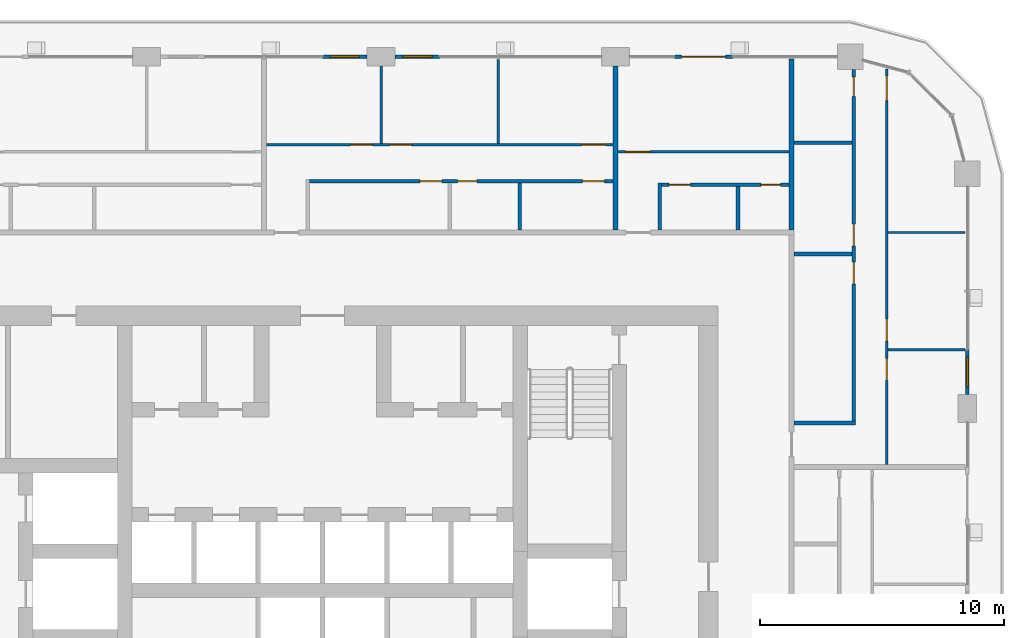
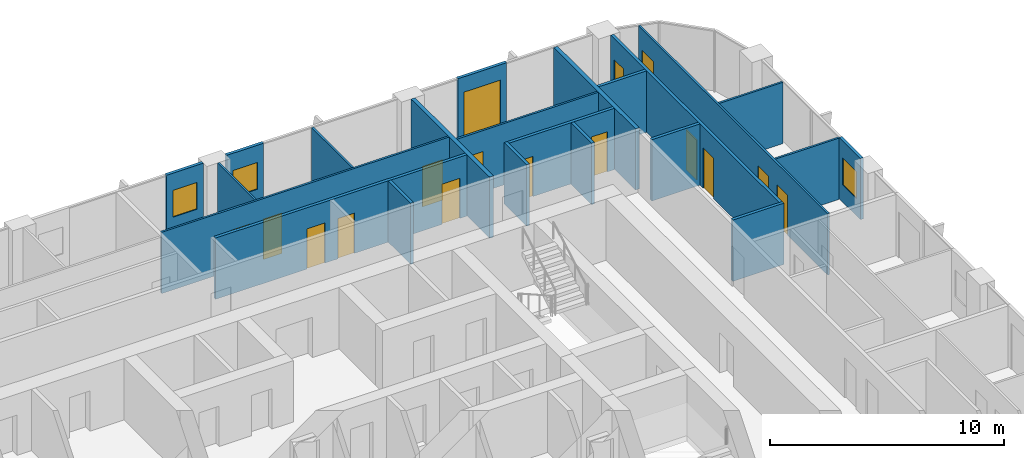
# One storey, part 15 of 22: 22 walls, 16 doors, 3 windows, 19 openings.
"""IFC4 building model written with IfcOpenShell, lengths in metres."""

from ifc_helpers import new_model, si_unit, direction, frame, frame_2d, origin, place, context, subcontext, project, spatial, rectangle, extrude, material, layer, layer_set, type_object, element, fill, save


model = new_model("IFC4")

# Units and contexts
model_context = context("Model", 3, precision=1e-05, world=origin(), true_north=direction((0.0, 1.0)))
body_context = subcontext(model_context, "Body", "Model", "MODEL_VIEW")
ifc_project = project(units=[si_unit("LENGTHUNIT", "METRE"), si_unit("AREAUNIT", "SQUARE_METRE"), si_unit("VOLUMEUNIT", "CUBIC_METRE"), si_unit("PLANEANGLEUNIT", "RADIAN"), si_unit("MASSUNIT", "GRAM", prefix="KILO")], contexts=[model_context])

# Site, building, storey
site_placement = place(None, origin())
site = spatial("IfcSite", under=ifc_project, at=site_placement, CompositionType="ELEMENT")
building_placement = place(site_placement, origin())
building = spatial("IfcBuilding", under=site, at=building_placement, Name="Madar Terraces", CompositionType="ELEMENT")
storey_placement = place(building_placement, frame((0.0, 0.0, 159.5)))
storey = spatial("IfcBuildingStorey", under=building, at=storey_placement, Name="L41", CompositionType="ELEMENT", Elevation=159.5)

# Wall, opening, window
ifc_material_1 = material(Name="Aluminium composite panel, black, over insulated backing", Category="aluminium")
ifc_layer_1 = layer(ifc_material_1, 0.14990234375)
ifc_layer_set_1 = layer_set([ifc_layer_1], Name="Facade bay panel 150")
wall_type_1 = type_object("IfcWallType", Name="Facade bay panel 150", PredefinedType="SOLIDWALL", material=ifc_layer_set_1)
wall_1_placement = place(storey_placement, frame((57.60009765625, 34.175048828125, 0.0), z_axis=(0.0, 0.0, 1.0), x_axis=(0.0, 1.0, 0.0)))
wall_1 = element("IfcWall", 1, at=wall_1_placement, inside=storey, type_object=wall_type_1, Name="Facade bay panel", PredefinedType="SOLIDWALL", context=body_context, shape_type="SweptSolid", body=[
    extrude(rectangle(XDim=1.824951171875, YDim=0.14990234375, at=frame_2d((0.91259765625, 0.0))), origin(), (0.0, 0.0, 1.0), 3.199951171875),
])
opening_1_placement = place(wall_1_placement, frame((0.3125, 0.0, 0.89990234375)))
opening_1 = element("IfcOpeningElement", 2, at=opening_1_placement, cuts=wall_1, Name="Opening W1", PredefinedType="OPENING", context=body_context, shape_type="SweptSolid", body=[
    extrude(rectangle(XDim=1.199951171875, YDim=1.39990234375, at=frame_2d((0.60009765625, 0.699951171875))), frame((0.0, 0.0849609375, 0.0), z_axis=(0.0, -1.0, 0.0), x_axis=(1.0, 0.0, 0.0)), (0.0, 0.0, 1.0), 0.169921875),
])
ifc_material_2 = material(Name="Glass, clear, with black aluminium frame", Category="aluminium")
window_type = type_object("IfcWindowType", Name="Vent window 1200 x 1400", PartitioningType="SINGLE_PANEL", PredefinedType="WINDOW", material=ifc_material_2)
window_1_placement = place(opening_1_placement, origin())
window_1 = element("IfcWindow", 3, at=window_1_placement, inside=storey, type_object=window_type, Name="Operable vent window", OverallHeight=1.39990234375, OverallWidth=1.199951171875, PartitioningType="SINGLE_PANEL", PredefinedType="WINDOW", context=body_context, shape_type="SweptSolid", body=[
    extrude(rectangle(XDim=1.199951171875, YDim=1.39990234375, at=frame_2d((0.60009765625, 0.699951171875))), frame((0.0, 0.030029296875, 0.0), z_axis=(0.0, -1.0, 0.0), x_axis=(1.0, 0.0, 0.0)), (0.0, 0.0, 1.0), 0.06005859375),
])
fill(opening_1, window_1)

# Wall, opening, door
wall_2_placement = place(storey_placement, frame((48.0, 48.0, 0.0), z_axis=(0.0, 0.0, 1.0), x_axis=(-1.0, 0.0, 0.0)))
wall_2 = element("IfcWall", 4, at=wall_2_placement, inside=storey, type_object=wall_type_1, Name="Facade bay panel", PredefinedType="SOLIDWALL", context=body_context, shape_type="SweptSolid", body=[
    extrude(rectangle(XDim=2.39990234375, YDim=0.14990234375, at=frame_2d((1.199951171875, 0.0))), origin(), (0.0, 0.0, 1.0), 3.199951171875),
])
opening_2_placement = place(wall_2_placement, frame((0.300048828125, 0.0, 0.0)))
opening_2 = element("IfcOpeningElement", 5, at=opening_2_placement, cuts=wall_2, Name="Opening ED1", PredefinedType="OPENING", context=body_context, shape_type="SweptSolid", body=[
    extrude(rectangle(XDim=1.800048828125, YDim=2.39990234375, at=frame_2d((0.89990234375, 1.199951171875))), frame((0.0, 0.0849609375, 0.0), z_axis=(0.0, -1.0, 0.0), x_axis=(1.0, 0.0, 0.0)), (0.0, 0.0, 1.0), 0.169921875),
])
ifc_material_3 = material(Name="Glass, clear, with black aluminium frame", Category="aluminium")
door_type_1 = type_object("IfcDoorType", Name="Balcony and terrace sliding door 1800 x 2400", OperationType="SLIDING_TO_LEFT", PredefinedType="DOOR", material=ifc_material_3)
door_1_placement = place(opening_2_placement, origin())
door_1 = element("IfcDoor", 6, at=door_1_placement, inside=storey, type_object=door_type_1, Name="Balcony door", OperationType="SLIDING_TO_LEFT", OverallHeight=2.39990234375, OverallWidth=1.800048828125, PredefinedType="DOOR", context=body_context, shape_type="SweptSolid", body=[
    extrude(rectangle(XDim=1.800048828125, YDim=2.39990234375, at=frame_2d((0.89990234375, 1.199951171875))), frame((0.0, 0.02490234375, 0.0), z_axis=(0.0, -1.0, 0.0), x_axis=(1.0, 0.0, 0.0)), (0.0, 0.0, 1.0), 0.050048828125),
])
fill(opening_2, door_1)

# Wall, opening, window
wall_3_placement = place(storey_placement, frame((36.0, 48.0, 0.0), z_axis=(0.0, 0.0, 1.0), x_axis=(-1.0, 0.0, 0.0)))
wall_3 = element("IfcWall", 7, at=wall_3_placement, inside=storey, type_object=wall_type_1, Name="Facade bay panel", PredefinedType="SOLIDWALL", context=body_context, shape_type="SweptSolid", body=[
    extrude(rectangle(XDim=1.824951171875, YDim=0.14990234375, at=frame_2d((0.91259765625, 0.0))), origin(), (0.0, 0.0, 1.0), 3.199951171875),
])
opening_3_placement = place(wall_3_placement, frame((0.3125, 0.0, 0.89990234375)))
opening_3 = element("IfcOpeningElement", 8, at=opening_3_placement, cuts=wall_3, Name="Opening W1", PredefinedType="OPENING", context=body_context, shape_type="SweptSolid", body=[
    extrude(rectangle(XDim=1.199951171875, YDim=1.39990234375, at=frame_2d((0.60009765625, 0.699951171875))), frame((0.0, 0.0849609375, 0.0), z_axis=(0.0, -1.0, 0.0), x_axis=(1.0, 0.0, 0.0)), (0.0, 0.0, 1.0), 0.169921875),
])
window_2_placement = place(opening_3_placement, origin())
window_2 = element("IfcWindow", 9, at=window_2_placement, inside=storey, type_object=window_type, Name="Operable vent window", OverallHeight=1.39990234375, OverallWidth=1.199951171875, PartitioningType="SINGLE_PANEL", PredefinedType="WINDOW", context=body_context, shape_type="SweptSolid", body=[
    extrude(rectangle(XDim=1.199951171875, YDim=1.39990234375, at=frame_2d((0.60009765625, 0.699951171875))), frame((0.0, 0.030029296875, 0.0), z_axis=(0.0, -1.0, 0.0), x_axis=(1.0, 0.0, 0.0)), (0.0, 0.0, 1.0), 0.06005859375),
])
fill(opening_3, window_2)

wall_4_placement = place(storey_placement, frame((33.02490234375, 48.0, 0.0), z_axis=(0.0, 0.0, 1.0), x_axis=(-1.0, 0.0, 0.0)))
wall_4 = element("IfcWall", 10, at=wall_4_placement, inside=storey, type_object=wall_type_1, Name="Facade bay panel", PredefinedType="SOLIDWALL", context=body_context, shape_type="SweptSolid", body=[
    extrude(rectangle(XDim=1.824951171875, YDim=0.14990234375, at=frame_2d((0.91259765625, 0.0))), origin(), (0.0, 0.0, 1.0), 3.199951171875),
])
opening_4_placement = place(wall_4_placement, frame((0.3125, 0.0, 0.89990234375)))
opening_4 = element("IfcOpeningElement", 11, at=opening_4_placement, cuts=wall_4, Name="Opening W1", PredefinedType="OPENING", context=body_context, shape_type="SweptSolid", body=[
    extrude(rectangle(XDim=1.199951171875, YDim=1.39990234375, at=frame_2d((0.60009765625, 0.699951171875))), frame((0.0, 0.0849609375, 0.0), z_axis=(0.0, -1.0, 0.0), x_axis=(1.0, 0.0, 0.0)), (0.0, 0.0, 1.0), 0.169921875),
])
window_3_placement = place(opening_4_placement, origin())
window_3 = element("IfcWindow", 12, at=window_3_placement, inside=storey, type_object=window_type, Name="Operable vent window", OverallHeight=1.39990234375, OverallWidth=1.199951171875, PartitioningType="SINGLE_PANEL", PredefinedType="WINDOW", context=body_context, shape_type="SweptSolid", body=[
    extrude(rectangle(XDim=1.199951171875, YDim=1.39990234375, at=frame_2d((0.60009765625, 0.699951171875))), frame((0.0, 0.030029296875, 0.0), z_axis=(0.0, -1.0, 0.0), x_axis=(1.0, 0.0, 0.0)), (0.0, 0.0, 1.0), 0.06005859375),
])
fill(opening_4, window_3)

# Walls
ifc_material_4 = material(Name="Gypsum board on steel studs", Category="steel")
ifc_layer_2 = layer(ifc_material_4, 0.10009765625)
ifc_layer_set_2 = layer_set([ifc_layer_2], Name="Flat partition 100")
wall_type_2 = type_object("IfcWallType", Name="Flat partition 100", PredefinedType="PARTITIONING", material=ifc_layer_set_2)
for number, where, z_axis, x_axis, name in (
    (13, (54.35009765625, 36.0, 0.0), (0.0, 0.0, 1.0), (1.0, 0.0, 0.0), "Flat partition 100"),
    (14, (54.35009765625, 40.800048828125, 0.0), (0.0, 0.0, 1.0), (1.0, 0.0, 0.0), "Flat partition 100"),
):
    element("IfcWall", number, at=place(storey_placement, frame(where, z_axis=z_axis, x_axis=x_axis)), inside=storey, type_object=wall_type_2, Name=name, PredefinedType="PARTITIONING", context=body_context, shape_type="SweptSolid", body=[
        extrude(rectangle(XDim=3.14990234375, YDim=0.10009765625, at=frame_2d((1.574951171875, 0.0))), origin(), (0.0, 0.0, 1.0), 3.199951171875),
    ])

# Wall, openings, doors
wall_5_placement = place(storey_placement, frame((54.300048828125, 47.498046875, 0.0), z_axis=(0.0, 0.0, 1.0), x_axis=(0.0, -1.0, 0.0)))
wall_5 = element("IfcWall", 15, at=wall_5_placement, inside=storey, type_object=wall_type_2, Name="Flat partition 100", PredefinedType="PARTITIONING", context=body_context, shape_type="SweptSolid", body=[
    extrude(rectangle(XDim=16.197998046875, YDim=0.10009765625, at=frame_2d((8.09912109375, 0.0))), origin(), (0.0, 0.0, 1.0), 3.199951171875),
])
opening_5_placement = place(wall_5_placement, frame((11.84814453125, 0.0, 0.0)))
opening_5 = element("IfcOpeningElement", 16, at=opening_5_placement, cuts=wall_5, Name="Opening D2", PredefinedType="OPENING", context=body_context, shape_type="SweptSolid", body=[
    extrude(rectangle(XDim=0.89990234375, YDim=2.10009765625, at=frame_2d((0.449951171875, 1.050048828125))), frame((0.0, 0.06005859375, 0.0), z_axis=(0.0, -1.0, 0.0), x_axis=(1.0, 0.0, 0.0)), (0.0, 0.0, 1.0), 0.1201171875),
])
opening_6_placement = place(wall_5_placement, frame((10.248046875, 0.0, 0.0)))
opening_6 = element("IfcOpeningElement", 17, at=opening_6_placement, cuts=wall_5, Name="Opening D2", PredefinedType="OPENING", context=body_context, shape_type="SweptSolid", body=[
    extrude(rectangle(XDim=0.89990234375, YDim=2.10009765625, at=frame_2d((0.449951171875, 1.050048828125))), frame((0.0, 0.06005859375, 0.0), z_axis=(0.0, -1.0, 0.0), x_axis=(1.0, 0.0, 0.0)), (0.0, 0.0, 1.0), 0.1201171875),
])
opening_7_placement = place(wall_5_placement, frame((0.300048828125, 0.0, 0.0)))
opening_7 = element("IfcOpeningElement", 18, at=opening_7_placement, cuts=wall_5, Name="Opening D3", PredefinedType="OPENING", context=body_context, shape_type="SweptSolid", body=[
    extrude(rectangle(XDim=1.0, YDim=2.10009765625, at=frame_2d((0.5, 1.050048828125))), frame((0.0, 0.06005859375, 0.0), z_axis=(0.0, -1.0, 0.0), x_axis=(1.0, 0.0, 0.0)), (0.0, 0.0, 1.0), 0.1201171875),
])
ifc_material_5 = material(Name="Timber door leaf", Category="wood")
door_type_2 = type_object("IfcDoorType", Name="Flat living room door 1000", OperationType="NOTDEFINED", PredefinedType="DOOR", material=ifc_material_5)
door_2_placement = place(opening_7_placement, origin())
door_2 = element("IfcDoor", 19, at=door_2_placement, inside=storey, type_object=door_type_2, Name="Flat living room door 1000", OperationType="SINGLE_SWING_LEFT", OverallHeight=2.10009765625, OverallWidth=1.0, PredefinedType="DOOR", context=body_context, shape_type="SweptSolid", body=[
    extrude(rectangle(XDim=1.0, YDim=2.10009765625, at=frame_2d((0.5, 1.050048828125))), frame((0.0, 0.02490234375, 0.0), z_axis=(0.0, -1.0, 0.0), x_axis=(1.0, 0.0, 0.0)), (0.0, 0.0, 1.0), 0.050048828125),
])
fill(opening_7, door_2)
ifc_material_6 = material(Name="Timber door leaf", Category="wood")
door_type_3 = type_object("IfcDoorType", Name="Flat room door 900", OperationType="NOTDEFINED", PredefinedType="DOOR", material=ifc_material_6)
door_3_placement = place(opening_5_placement, origin())
door_3 = element("IfcDoor", 20, at=door_3_placement, inside=storey, type_object=door_type_3, Name="Flat room door 900", OperationType="SINGLE_SWING_LEFT", OverallHeight=2.10009765625, OverallWidth=0.89990234375, PredefinedType="DOOR", context=body_context, shape_type="SweptSolid", body=[
    extrude(rectangle(XDim=0.89990234375, YDim=2.10009765625, at=frame_2d((0.449951171875, 1.050048828125))), frame((0.0, 0.02490234375, 0.0), z_axis=(0.0, -1.0, 0.0), x_axis=(1.0, 0.0, 0.0)), (0.0, 0.0, 1.0), 0.050048828125),
])
fill(opening_5, door_3)
door_4_placement = place(opening_6_placement, origin())
door_4 = element("IfcDoor", 21, at=door_4_placement, inside=storey, type_object=door_type_3, Name="Flat room door 900", OperationType="SINGLE_SWING_RIGHT", OverallHeight=2.10009765625, OverallWidth=0.89990234375, PredefinedType="DOOR", context=body_context, shape_type="SweptSolid", body=[
    extrude(rectangle(XDim=0.89990234375, YDim=2.10009765625, at=frame_2d((0.449951171875, 1.050048828125))), frame((0.0, 0.02490234375, 0.0), z_axis=(0.0, -1.0, 0.0), x_axis=(1.0, 0.0, 0.0)), (0.0, 0.0, 1.0), 0.050048828125),
])
fill(opening_6, door_4)

# Wall, opening, door
wall_6_placement = place(storey_placement, frame((43.300048828125, 44.10009765625, 0.0), z_axis=(0.0, 0.0, 1.0), x_axis=(1.0, 0.0, 0.0)))
wall_6 = element("IfcWall", 22, at=wall_6_placement, inside=storey, type_object=wall_type_2, Name="Flat partition 100", PredefinedType="PARTITIONING", context=body_context, shape_type="SweptSolid", body=[
    extrude(rectangle(XDim=7.0, YDim=0.10009765625, at=frame_2d((3.5, 0.0))), origin(), (0.0, 0.0, 1.0), 3.199951171875),
])
opening_8_placement = place(wall_6_placement, frame((0.300048828125, 0.0, 0.0)))
opening_8 = element("IfcOpeningElement", 23, at=opening_8_placement, cuts=wall_6, Name="Opening D3", PredefinedType="OPENING", context=body_context, shape_type="SweptSolid", body=[
    extrude(rectangle(XDim=1.0, YDim=2.10009765625, at=frame_2d((0.5, 1.050048828125))), frame((0.0, 0.06005859375, 0.0), z_axis=(0.0, -1.0, 0.0), x_axis=(1.0, 0.0, 0.0)), (0.0, 0.0, 1.0), 0.1201171875),
])
door_5_placement = place(opening_8_placement, origin())
door_5 = element("IfcDoor", 24, at=door_5_placement, inside=storey, type_object=door_type_2, Name="Flat living room door 1000", OperationType="SINGLE_SWING_LEFT", OverallHeight=2.10009765625, OverallWidth=1.0, PredefinedType="DOOR", context=body_context, shape_type="SweptSolid", body=[
    extrude(rectangle(XDim=1.0, YDim=2.10009765625, at=frame_2d((0.5, 1.050048828125))), frame((0.0, 0.02490234375, 0.0), z_axis=(0.0, -1.0, 0.0), x_axis=(1.0, 0.0, 0.0)), (0.0, 0.0, 1.0), 0.050048828125),
])
fill(opening_8, door_5)

# Walls
wall_7_placement = place(storey_placement, frame((33.60009765625, 44.449951171875, 0.0), z_axis=(0.0, 0.0, 1.0), x_axis=(0.0, 1.0, 0.0)))
element("IfcWall", 25, at=wall_7_placement, inside=storey, type_object=wall_type_2, Name="Flat partition 100", PredefinedType="PARTITIONING", context=body_context, shape_type="SweptSolid", body=[
    extrude(rectangle(XDim=3.175048828125, YDim=0.10009765625, at=frame_2d((1.58740234375, 0.0))), origin(), (0.0, 0.0, 1.0), 3.199951171875),
])
wall_8_placement = place(storey_placement, frame((38.39990234375, 44.449951171875, 0.0), z_axis=(0.0, 0.0, 1.0), x_axis=(0.0, 1.0, 0.0)))
element("IfcWall", 26, at=wall_8_placement, inside=storey, type_object=wall_type_2, Name="Flat partition 100", PredefinedType="PARTITIONING", context=body_context, shape_type="SweptSolid", body=[
    extrude(rectangle(XDim=3.449951171875, YDim=0.10009765625, at=frame_2d((1.72509765625, 0.0))), origin(), (0.0, 0.0, 1.0), 3.199951171875),
])

# Wall, openings, doors
wall_9_placement = place(storey_placement, frame((28.89990234375, 44.39990234375, 0.0), z_axis=(0.0, 0.0, 1.0), x_axis=(1.0, 0.0, 0.0)))
wall_9 = element("IfcWall", 27, at=wall_9_placement, inside=storey, type_object=wall_type_2, Name="Flat partition 100", PredefinedType="PARTITIONING", context=body_context, shape_type="SweptSolid", body=[
    extrude(rectangle(XDim=14.2001953125, YDim=0.10009765625, at=frame_2d((7.10009765625, 0.0))), origin(), (0.0, 0.0, 1.0), 3.199951171875),
])
opening_9_placement = place(wall_9_placement, frame((3.449951171875, 0.0, 0.0)))
opening_9 = element("IfcOpeningElement", 28, at=opening_9_placement, cuts=wall_9, Name="Opening D2", PredefinedType="OPENING", context=body_context, shape_type="SweptSolid", body=[
    extrude(rectangle(XDim=0.89990234375, YDim=2.10009765625, at=frame_2d((0.449951171875, 1.050048828125))), frame((0.0, 0.06005859375, 0.0), z_axis=(0.0, -1.0, 0.0), x_axis=(1.0, 0.0, 0.0)), (0.0, 0.0, 1.0), 0.1201171875),
])
opening_10_placement = place(wall_9_placement, frame((5.050048828125, 0.0, 0.0)))
opening_10 = element("IfcOpeningElement", 29, at=opening_10_placement, cuts=wall_9, Name="Opening D2", PredefinedType="OPENING", context=body_context, shape_type="SweptSolid", body=[
    extrude(rectangle(XDim=0.89990234375, YDim=2.10009765625, at=frame_2d((0.449951171875, 1.050048828125))), frame((0.0, 0.06005859375, 0.0), z_axis=(0.0, -1.0, 0.0), x_axis=(1.0, 0.0, 0.0)), (0.0, 0.0, 1.0), 0.1201171875),
])
opening_11_placement = place(wall_9_placement, frame((12.89990234375, 0.0, 0.0)))
opening_11 = element("IfcOpeningElement", 30, at=opening_11_placement, cuts=wall_9, Name="Opening D3", PredefinedType="OPENING", context=body_context, shape_type="SweptSolid", body=[
    extrude(rectangle(XDim=1.0, YDim=2.10009765625, at=frame_2d((0.5, 1.050048828125))), frame((0.0, 0.06005859375, 0.0), z_axis=(0.0, -1.0, 0.0), x_axis=(1.0, 0.0, 0.0)), (0.0, 0.0, 1.0), 0.1201171875),
])
door_6_placement = place(opening_11_placement, origin())
door_6 = element("IfcDoor", 31, at=door_6_placement, inside=storey, type_object=door_type_2, Name="Flat living room door 1000", OperationType="SINGLE_SWING_RIGHT", OverallHeight=2.10009765625, OverallWidth=1.0, PredefinedType="DOOR", context=body_context, shape_type="SweptSolid", body=[
    extrude(rectangle(XDim=1.0, YDim=2.10009765625, at=frame_2d((0.5, 1.050048828125))), frame((0.0, 0.02490234375, 0.0), z_axis=(0.0, -1.0, 0.0), x_axis=(1.0, 0.0, 0.0)), (0.0, 0.0, 1.0), 0.050048828125),
])
fill(opening_11, door_6)
door_7_placement = place(opening_9_placement, origin())
door_7 = element("IfcDoor", 32, at=door_7_placement, inside=storey, type_object=door_type_3, Name="Flat room door 900", OperationType="SINGLE_SWING_RIGHT", OverallHeight=2.10009765625, OverallWidth=0.89990234375, PredefinedType="DOOR", context=body_context, shape_type="SweptSolid", body=[
    extrude(rectangle(XDim=0.89990234375, YDim=2.10009765625, at=frame_2d((0.449951171875, 1.050048828125))), frame((0.0, 0.02490234375, 0.0), z_axis=(0.0, -1.0, 0.0), x_axis=(1.0, 0.0, 0.0)), (0.0, 0.0, 1.0), 0.050048828125),
])
fill(opening_9, door_7)
door_8_placement = place(opening_10_placement, origin())
door_8 = element("IfcDoor", 33, at=door_8_placement, inside=storey, type_object=door_type_3, Name="Flat room door 900", OperationType="SINGLE_SWING_LEFT", OverallHeight=2.10009765625, OverallWidth=0.89990234375, PredefinedType="DOOR", context=body_context, shape_type="SweptSolid", body=[
    extrude(rectangle(XDim=0.89990234375, YDim=2.10009765625, at=frame_2d((0.449951171875, 1.050048828125))), frame((0.0, 0.02490234375, 0.0), z_axis=(0.0, -1.0, 0.0), x_axis=(1.0, 0.0, 0.0)), (0.0, 0.0, 1.0), 0.050048828125),
])
fill(opening_10, door_8)

# Walls
ifc_material_7 = material(Name="Lightweight blockwork", Category="masonry")
ifc_layer_3 = layer(ifc_material_7, 0.199951171875)
ifc_layer_set_3 = layer_set([ifc_layer_3], Name="Flat party and entrance wall 200")
wall_type_3 = type_object("IfcWallType", Name="Flat party and entrance wall 200", PredefinedType="PARTITIONING", material=ifc_layer_set_3)
wall_10_placement = place(storey_placement, frame((50.39990234375, 40.89990234375, 0.0), z_axis=(0.0, 0.0, 1.0), x_axis=(0.0, 1.0, 0.0)))
element("IfcWall", 34, at=wall_10_placement, inside=storey, type_object=wall_type_3, Name="Flat party and entrance wall 200", PredefinedType="PARTITIONING", context=body_context, shape_type="SweptSolid", body=[
    extrude(rectangle(XDim=7.0, YDim=0.199951171875, at=frame_2d((3.5, 0.0))), origin(), (0.0, 0.0, 1.0), 3.199951171875),
])
wall_11_placement = place(storey_placement, frame((43.199951171875, 47.625, 0.0), z_axis=(0.0, 0.0, 1.0), x_axis=(0.0, -1.0, 0.0)))
element("IfcWall", 35, at=wall_11_placement, inside=storey, type_object=wall_type_3, Name="Flat party and entrance wall 200", PredefinedType="PARTITIONING", context=body_context, shape_type="SweptSolid", body=[
    extrude(rectangle(XDim=6.72509765625, YDim=0.199951171875, at=frame_2d((3.362548828125, 0.0))), origin(), (0.0, 0.0, 1.0), 3.199951171875),
])
ifc_material_8 = material(Name="Lightweight blockwork", Category="masonry")
ifc_layer_4 = layer(ifc_material_8, 0.14990234375)
ifc_layer_set_4 = layer_set([ifc_layer_4], Name="Flat wet-room partition 150")
wall_type_4 = type_object("IfcWallType", Name="Flat wet-room partition 150", PredefinedType="PARTITIONING", material=ifc_layer_set_4)
for number, where, z_axis, x_axis, name in (
    (36, (50.5, 39.917236328125, 0.0), (0.0, 0.0, 1.0), (1.0, 0.0, 0.0), "Flat wet-room partition 150"),
    (37, (50.5, 44.478759765625, 0.0), (0.0, 0.0, 1.0), (1.0, 0.0, 0.0), "Flat wet-room partition 150"),
):
    element("IfcWall", number, at=place(storey_placement, frame(where, z_axis=z_axis, x_axis=x_axis)), inside=storey, type_object=wall_type_4, Name=name, PredefinedType="PARTITIONING", context=body_context, shape_type="SweptSolid", body=[
        extrude(rectangle(XDim=2.375, YDim=0.14990234375, at=frame_2d((1.1875, 0.0))), origin(), (0.0, 0.0, 1.0), 3.199951171875),
    ])
wall_12_placement = place(storey_placement, frame((50.5, 33.0, 0.0), z_axis=(0.0, 0.0, 1.0), x_axis=(1.0, 0.0, 0.0)))
element("IfcWall", 38, at=wall_12_placement, inside=storey, type_object=wall_type_4, Name="Flat wet-room partition 150", PredefinedType="PARTITIONING", context=body_context, shape_type="SweptSolid", body=[
    extrude(rectangle(XDim=2.52490234375, YDim=0.14990234375, at=frame_2d((1.262451171875, 0.0))), origin(), (0.0, 0.0, 1.0), 3.199951171875),
])

# Wall, openings, doors
wall_13_placement = place(storey_placement, frame((52.949951171875, 33.074951171875, 0.0), z_axis=(0.0, 0.0, 1.0), x_axis=(0.0, 1.0, 0.0)))
wall_13 = element("IfcWall", 39, at=wall_13_placement, inside=storey, type_object=wall_type_4, Name="Flat wet-room partition 150", PredefinedType="PARTITIONING", context=body_context, shape_type="SweptSolid", body=[
    extrude(rectangle(XDim=14.400146484375, YDim=0.14990234375, at=frame_2d((7.2001953125, 0.0))), origin(), (0.0, 0.0, 1.0), 3.199951171875),
])
opening_12_placement = place(wall_13_placement, frame((5.6171875, 0.0, 0.0)))
opening_12 = element("IfcOpeningElement", 40, at=opening_12_placement, cuts=wall_13, Name="Opening D2", PredefinedType="OPENING", context=body_context, shape_type="SweptSolid", body=[
    extrude(rectangle(XDim=0.89990234375, YDim=2.10009765625, at=frame_2d((0.449951171875, 1.050048828125))), frame((0.0, 0.0849609375, 0.0), z_axis=(0.0, -1.0, 0.0), x_axis=(1.0, 0.0, 0.0)), (0.0, 0.0, 1.0), 0.169921875),
])
opening_13_placement = place(wall_13_placement, frame((7.167236328125, 0.0, 0.0)))
opening_13 = element("IfcOpeningElement", 41, at=opening_13_placement, cuts=wall_13, Name="Opening D5", PredefinedType="OPENING", context=body_context, shape_type="SweptSolid", body=[
    extrude(rectangle(XDim=0.89990234375, YDim=2.10009765625, at=frame_2d((0.449951171875, 1.050048828125))), frame((0.0, 0.0849609375, 0.0), z_axis=(0.0, -1.0, 0.0), x_axis=(1.0, 0.0, 0.0)), (0.0, 0.0, 1.0), 0.169921875),
])
opening_14_placement = place(wall_13_placement, frame((13.300048828125, 0.0, 0.0)))
opening_14 = element("IfcOpeningElement", 42, at=opening_14_placement, cuts=wall_13, Name="Opening D4", PredefinedType="OPENING", context=body_context, shape_type="SweptSolid", body=[
    extrude(rectangle(XDim=0.800048828125, YDim=2.10009765625, at=frame_2d((0.39990234375, 1.050048828125))), frame((0.0, 0.0849609375, 0.0), z_axis=(0.0, -1.0, 0.0), x_axis=(1.0, 0.0, 0.0)), (0.0, 0.0, 1.0), 0.169921875),
])
ifc_material_9 = material(Name="Timber door leaf", Category="wood")
door_type_4 = type_object("IfcDoorType", Name="Flat accessible bathroom door 900", OperationType="NOTDEFINED", PredefinedType="DOOR", material=ifc_material_9)
door_9_placement = place(opening_13_placement, origin())
door_9 = element("IfcDoor", 43, at=door_9_placement, inside=storey, type_object=door_type_4, Name="Flat accessible bathroom door 900", OperationType="SINGLE_SWING_LEFT", OverallHeight=2.10009765625, OverallWidth=0.89990234375, PredefinedType="DOOR", context=body_context, shape_type="SweptSolid", body=[
    extrude(rectangle(XDim=0.89990234375, YDim=2.10009765625, at=frame_2d((0.449951171875, 1.050048828125))), frame((0.0, 0.02490234375, 0.0), z_axis=(0.0, -1.0, 0.0), x_axis=(1.0, 0.0, 0.0)), (0.0, 0.0, 1.0), 0.050048828125),
])
fill(opening_13, door_9)
ifc_material_10 = material(Name="Timber door leaf", Category="wood")
door_type_5 = type_object("IfcDoorType", Name="Flat bathroom door 800", OperationType="NOTDEFINED", PredefinedType="DOOR", material=ifc_material_10)
door_10_placement = place(opening_14_placement, origin())
door_10 = element("IfcDoor", 44, at=door_10_placement, inside=storey, type_object=door_type_5, Name="Flat bathroom door 800", OperationType="SINGLE_SWING_RIGHT", OverallHeight=2.10009765625, OverallWidth=0.800048828125, PredefinedType="DOOR", context=body_context, shape_type="SweptSolid", body=[
    extrude(rectangle(XDim=0.800048828125, YDim=2.10009765625, at=frame_2d((0.39990234375, 1.050048828125))), frame((0.0, 0.02490234375, 0.0), z_axis=(0.0, -1.0, 0.0), x_axis=(1.0, 0.0, 0.0)), (0.0, 0.0, 1.0), 0.050048828125),
])
fill(opening_14, door_10)
door_11_placement = place(opening_12_placement, origin())
door_11 = element("IfcDoor", 45, at=door_11_placement, inside=storey, type_object=door_type_3, Name="Flat room door 900", OperationType="SINGLE_SWING_RIGHT", OverallHeight=2.10009765625, OverallWidth=0.89990234375, PredefinedType="DOOR", context=body_context, shape_type="SweptSolid", body=[
    extrude(rectangle(XDim=0.89990234375, YDim=2.10009765625, at=frame_2d((0.449951171875, 1.050048828125))), frame((0.0, 0.02490234375, 0.0), z_axis=(0.0, -1.0, 0.0), x_axis=(1.0, 0.0, 0.0)), (0.0, 0.0, 1.0), 0.050048828125),
])
fill(opening_12, door_11)

# Walls
wall_14_placement = place(storey_placement, frame((48.2099609375, 40.89990234375, 0.0), z_axis=(0.0, 0.0, 1.0), x_axis=(0.0, 1.0, 0.0)))
element("IfcWall", 46, at=wall_14_placement, inside=storey, type_object=wall_type_4, Name="Flat wet-room partition 150", PredefinedType="PARTITIONING", context=body_context, shape_type="SweptSolid", body=[
    extrude(rectangle(XDim=1.775146484375, YDim=0.14990234375, at=frame_2d((0.8876953125, 0.0))), origin(), (0.0, 0.0, 1.0), 3.199951171875),
])
wall_15_placement = place(storey_placement, frame((45.0, 40.89990234375, 0.0), z_axis=(0.0, 0.0, 1.0), x_axis=(0.0, 1.0, 0.0)))
element("IfcWall", 47, at=wall_15_placement, inside=storey, type_object=wall_type_4, Name="Flat wet-room partition 150", PredefinedType="PARTITIONING", context=body_context, shape_type="SweptSolid", body=[
    extrude(rectangle(XDim=1.925048828125, YDim=0.14990234375, at=frame_2d((0.96240234375, 0.0))), origin(), (0.0, 0.0, 1.0), 3.199951171875),
])

# Wall, openings, doors
wall_16_placement = place(storey_placement, frame((50.300048828125, 42.75, 0.0), z_axis=(0.0, 0.0, 1.0), x_axis=(-1.0, 0.0, 0.0)))
wall_16 = element("IfcWall", 48, at=wall_16_placement, inside=storey, type_object=wall_type_4, Name="Flat wet-room partition 150", PredefinedType="PARTITIONING", context=body_context, shape_type="SweptSolid", body=[
    extrude(rectangle(XDim=5.22509765625, YDim=0.14990234375, at=frame_2d((2.612548828125, 0.0))), origin(), (0.0, 0.0, 1.0), 3.199951171875),
])
opening_15_placement = place(wall_16_placement, frame((4.02490234375, 0.0, 0.0)))
opening_15 = element("IfcOpeningElement", 49, at=opening_15_placement, cuts=wall_16, Name="Opening D2", PredefinedType="OPENING", context=body_context, shape_type="SweptSolid", body=[
    extrude(rectangle(XDim=0.89990234375, YDim=2.10009765625, at=frame_2d((0.449951171875, 1.050048828125))), frame((0.0, 0.0849609375, 0.0), z_axis=(0.0, -1.0, 0.0), x_axis=(1.0, 0.0, 0.0)), (0.0, 0.0, 1.0), 0.169921875),
])
opening_16_placement = place(wall_16_placement, frame((0.35009765625, 0.0, 0.0)))
opening_16 = element("IfcOpeningElement", 50, at=opening_16_placement, cuts=wall_16, Name="Opening D4", PredefinedType="OPENING", context=body_context, shape_type="SweptSolid", body=[
    extrude(rectangle(XDim=0.800048828125, YDim=2.10009765625, at=frame_2d((0.39990234375, 1.050048828125))), frame((0.0, 0.0849609375, 0.0), z_axis=(0.0, -1.0, 0.0), x_axis=(1.0, 0.0, 0.0)), (0.0, 0.0, 1.0), 0.169921875),
])
door_12_placement = place(opening_16_placement, origin())
door_12 = element("IfcDoor", 51, at=door_12_placement, inside=storey, type_object=door_type_5, Name="Flat bathroom door 800", OperationType="SINGLE_SWING_LEFT", OverallHeight=2.10009765625, OverallWidth=0.800048828125, PredefinedType="DOOR", context=body_context, shape_type="SweptSolid", body=[
    extrude(rectangle(XDim=0.800048828125, YDim=2.10009765625, at=frame_2d((0.39990234375, 1.050048828125))), frame((0.0, 0.02490234375, 0.0), z_axis=(0.0, -1.0, 0.0), x_axis=(1.0, 0.0, 0.0)), (0.0, 0.0, 1.0), 0.050048828125),
])
fill(opening_16, door_12)
door_13_placement = place(opening_15_placement, origin())
door_13 = element("IfcDoor", 52, at=door_13_placement, inside=storey, type_object=door_type_3, Name="Flat room door 900", OperationType="SINGLE_SWING_RIGHT", OverallHeight=2.10009765625, OverallWidth=0.89990234375, PredefinedType="DOOR", context=body_context, shape_type="SweptSolid", body=[
    extrude(rectangle(XDim=0.89990234375, YDim=2.10009765625, at=frame_2d((0.449951171875, 1.050048828125))), frame((0.0, 0.02490234375, 0.0), z_axis=(0.0, -1.0, 0.0), x_axis=(1.0, 0.0, 0.0)), (0.0, 0.0, 1.0), 0.050048828125),
])
fill(opening_15, door_13)

# Wall
wall_17_placement = place(storey_placement, frame((39.27685546875, 40.89990234375, 0.0), z_axis=(0.0, 0.0, 1.0), x_axis=(0.0, 1.0, 0.0)))
element("IfcWall", 53, at=wall_17_placement, inside=storey, type_object=wall_type_4, Name="Flat wet-room partition 150", PredefinedType="PARTITIONING", context=body_context, shape_type="SweptSolid", body=[
    extrude(rectangle(XDim=1.925048828125, YDim=0.14990234375, at=frame_2d((0.96240234375, 0.0))), origin(), (0.0, 0.0, 1.0), 3.199951171875),
])

# Wall, openings, doors
wall_18_placement = place(storey_placement, frame((43.10009765625, 42.89990234375, 0.0), z_axis=(0.0, 0.0, 1.0), x_axis=(-1.0, 0.0, 0.0)))
wall_18 = element("IfcWall", 54, at=wall_18_placement, inside=storey, type_object=wall_type_4, Name="Flat wet-room partition 150", PredefinedType="PARTITIONING", context=body_context, shape_type="SweptSolid", body=[
    extrude(rectangle(XDim=12.425048828125, YDim=0.14990234375, at=frame_2d((6.21240234375, 0.0))), origin(), (0.0, 0.0, 1.0), 3.199951171875),
])
opening_17_placement = place(wall_18_placement, frame((7.015380859375, 0.0, 0.0)))
opening_17 = element("IfcOpeningElement", 55, at=opening_17_placement, cuts=wall_18, Name="Opening D2", PredefinedType="OPENING", context=body_context, shape_type="SweptSolid", body=[
    extrude(rectangle(XDim=0.89990234375, YDim=2.10009765625, at=frame_2d((0.449951171875, 1.050048828125))), frame((0.0, 0.0849609375, 0.0), z_axis=(0.0, -1.0, 0.0), x_axis=(1.0, 0.0, 0.0)), (0.0, 0.0, 1.0), 0.169921875),
])
opening_18_placement = place(wall_18_placement, frame((5.5654296875, 0.0, 0.0)))
opening_18 = element("IfcOpeningElement", 56, at=opening_18_placement, cuts=wall_18, Name="Opening D4", PredefinedType="OPENING", context=body_context, shape_type="SweptSolid", body=[
    extrude(rectangle(XDim=0.800048828125, YDim=2.10009765625, at=frame_2d((0.39990234375, 1.050048828125))), frame((0.0, 0.0849609375, 0.0), z_axis=(0.0, -1.0, 0.0), x_axis=(1.0, 0.0, 0.0)), (0.0, 0.0, 1.0), 0.169921875),
])
opening_19_placement = place(wall_18_placement, frame((0.35009765625, 0.0, 0.0)))
opening_19 = element("IfcOpeningElement", 57, at=opening_19_placement, cuts=wall_18, Name="Opening D5", PredefinedType="OPENING", context=body_context, shape_type="SweptSolid", body=[
    extrude(rectangle(XDim=0.89990234375, YDim=2.10009765625, at=frame_2d((0.449951171875, 1.050048828125))), frame((0.0, 0.0849609375, 0.0), z_axis=(0.0, -1.0, 0.0), x_axis=(1.0, 0.0, 0.0)), (0.0, 0.0, 1.0), 0.169921875),
])
door_14_placement = place(opening_19_placement, origin())
door_14 = element("IfcDoor", 58, at=door_14_placement, inside=storey, type_object=door_type_4, Name="Flat accessible bathroom door 900", OperationType="SINGLE_SWING_LEFT", OverallHeight=2.10009765625, OverallWidth=0.89990234375, PredefinedType="DOOR", context=body_context, shape_type="SweptSolid", body=[
    extrude(rectangle(XDim=0.89990234375, YDim=2.10009765625, at=frame_2d((0.449951171875, 1.050048828125))), frame((0.0, 0.02490234375, 0.0), z_axis=(0.0, -1.0, 0.0), x_axis=(1.0, 0.0, 0.0)), (0.0, 0.0, 1.0), 0.050048828125),
])
fill(opening_19, door_14)
door_15_placement = place(opening_18_placement, origin())
door_15 = element("IfcDoor", 59, at=door_15_placement, inside=storey, type_object=door_type_5, Name="Flat bathroom door 800", OperationType="SINGLE_SWING_RIGHT", OverallHeight=2.10009765625, OverallWidth=0.800048828125, PredefinedType="DOOR", context=body_context, shape_type="SweptSolid", body=[
    extrude(rectangle(XDim=0.800048828125, YDim=2.10009765625, at=frame_2d((0.39990234375, 1.050048828125))), frame((0.0, 0.02490234375, 0.0), z_axis=(0.0, -1.0, 0.0), x_axis=(1.0, 0.0, 0.0)), (0.0, 0.0, 1.0), 0.050048828125),
])
fill(opening_18, door_15)
door_16_placement = place(opening_17_placement, origin())
door_16 = element("IfcDoor", 60, at=door_16_placement, inside=storey, type_object=door_type_3, Name="Flat room door 900", OperationType="SINGLE_SWING_LEFT", OverallHeight=2.10009765625, OverallWidth=0.89990234375, PredefinedType="DOOR", context=body_context, shape_type="SweptSolid", body=[
    extrude(rectangle(XDim=0.89990234375, YDim=2.10009765625, at=frame_2d((0.449951171875, 1.050048828125))), frame((0.0, 0.02490234375, 0.0), z_axis=(0.0, -1.0, 0.0), x_axis=(1.0, 0.0, 0.0)), (0.0, 0.0, 1.0), 0.050048828125),
])
fill(opening_17, door_16)

save(model, "model.ifc")
